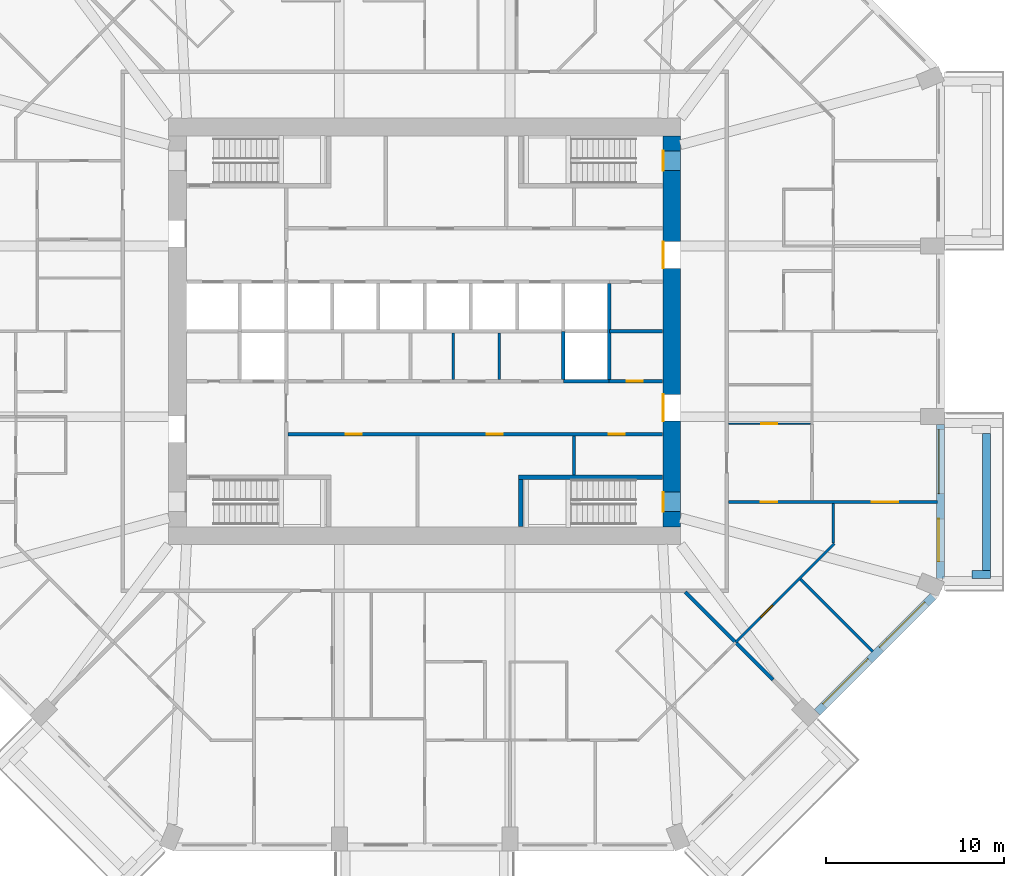
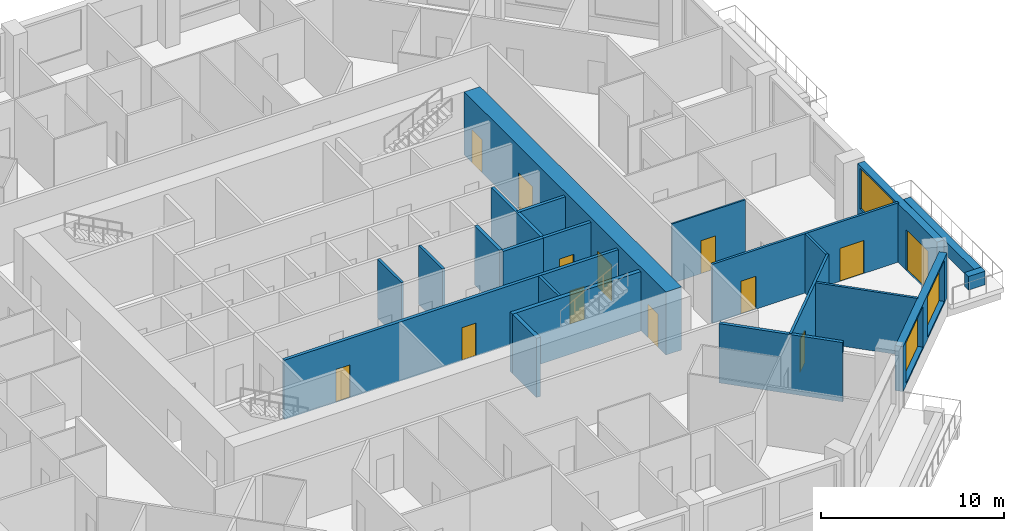
# One storey, part 6 of 13: 22 walls, 13 doors, 3 windows, 16 openings.
"""IFC4 building model written with IfcOpenShell, lengths in metres."""

from ifc_helpers import new_model, si_unit, direction, frame, frame_2d, origin, place, context, subcontext, project, spatial, rectangle, extrude, material, layer, layer_set, type_object, element, fill, save


model = new_model("IFC4")

# Units and contexts
model_context = context("Model", 3, precision=1e-05, world=origin(), true_north=direction((0.0, 1.0)))
body_context = subcontext(model_context, "Body", "Model", "MODEL_VIEW")
ifc_project = project(units=[si_unit("LENGTHUNIT", "METRE"), si_unit("AREAUNIT", "SQUARE_METRE"), si_unit("VOLUMEUNIT", "CUBIC_METRE"), si_unit("PLANEANGLEUNIT", "RADIAN"), si_unit("MASSUNIT", "GRAM", prefix="KILO")], contexts=[model_context])

# Site, building, storey
site_placement = place(None, origin())
site = spatial("IfcSite", under=ifc_project, at=site_placement, CompositionType="ELEMENT")
building_placement = place(site_placement, origin())
building = spatial("IfcBuilding", under=site, at=building_placement, Name="Msitu Wima Residences", CompositionType="ELEMENT")
storey_placement = place(building_placement, frame((0.0, 0.0, 33.89990234375)))
storey = spatial("IfcBuildingStorey", under=building, at=storey_placement, Name="L07", CompositionType="ELEMENT", Elevation=33.89990234375)

# Walls
ifc_material_1 = material(Name="Facing brick")
ifc_layer_1 = layer(ifc_material_1, 0.06494140625, Name="Facing brick")
ifc_material_2 = material(Name="Concrete C40/50", Category="concrete")
ifc_layer_2 = layer(ifc_material_2, 0.156005859375, Name="Concrete C40/50")
ifc_material_3 = material(Name="Waterproofing membrane")
ifc_layer_3 = layer(ifc_material_3, 0.00390625, Name="Waterproofing membrane")
ifc_material_4 = material(Name="Planting soil and planting")
ifc_layer_4 = layer(ifc_material_4, 0.22509765625, Name="Planting soil and planting")
ifc_layer_set_1 = layer_set([ifc_layer_1, ifc_layer_2, ifc_layer_3, ifc_layer_4], Name="Concrete C40/50")
wall_type_1 = type_object("IfcWallType", Name="Balcony planter PLANTER PL450", PredefinedType="USERDEFINED", material=ifc_layer_set_1)
wall_1_placement = place(storey_placement, frame((31.625, -13.449951171875, 0.0), z_axis=(0.0, 0.0, 1.0), x_axis=(0.0, 1.0, 0.0)))
element("IfcWall", 1, at=wall_1_placement, inside=storey, type_object=wall_type_1, Name="Balcony planter E0 L07", ObjectType="PLANTER", PredefinedType="USERDEFINED", context=body_context, shape_type="SweptSolid", body=[
    extrude(rectangle(XDim=7.699951171875, YDim=0.449951171875, at=frame_2d((3.85009765625, 0.0))), origin(), (0.0, 0.0, 1.0), 0.900146484375),
])
wall_2_placement = place(storey_placement, frame((30.800048828125, -13.675048828125, 0.0), z_axis=(0.0, 0.0, 1.0), x_axis=(1.0, 0.0, 0.0)))
element("IfcWall", 2, at=wall_2_placement, inside=storey, type_object=wall_type_1, Name="Balcony planter E0 L07", ObjectType="PLANTER", PredefinedType="USERDEFINED", context=body_context, shape_type="SweptSolid", body=[
    extrude(rectangle(XDim=1.050048828125, YDim=0.449951171875, at=frame_2d((0.52490234375, 0.0))), origin(), (0.0, 0.0, 1.0), 0.900146484375),
])

# Wall, openings, door, window
ifc_material_5 = material(Name="Brick (red buff mix)", Category="masonry")
ifc_layer_5 = layer(ifc_material_5, 0.449951171875)
ifc_layer_set_2 = layer_set([ifc_layer_5], Name="Brick (red buff mix)")
wall_type_2 = type_object("IfcWallType", Name="Brick infill wall BW450", PredefinedType="SOLIDWALL", material=ifc_layer_set_2)
wall_3_placement = place(storey_placement, frame((29.02490234375, -13.912841796875, 0.0), z_axis=(0.0, 0.0, 1.0), x_axis=(0.0, 1.0, 0.0)))
wall_3 = element("IfcWall", 3, at=wall_3_placement, inside=storey, type_object=wall_type_2, Name="Brick infill wall L07 E0", PredefinedType="SOLIDWALL", context=body_context, shape_type="SweptSolid", body=[
    extrude(rectangle(XDim=8.662841796875, YDim=0.449951171875, at=frame_2d((4.33154296875, 0.0))), origin(), (0.0, 0.0, 1.0), 3.900146484375),
])
opening_1_placement = place(wall_3_placement, frame((0.9658203125, 0.0, 0.0)))
opening_1 = element("IfcOpeningElement", 4, at=opening_1_placement, cuts=wall_3, Name="Opening D05-07.001", PredefinedType="OPENING", context=body_context, shape_type="SweptSolid", body=[
    extrude(rectangle(XDim=2.39990234375, YDim=2.699951171875, at=frame_2d((1.199951171875, 1.35009765625))), frame((0.0, 0.23486328125, 0.0), z_axis=(0.0, -1.0, 0.0), x_axis=(1.0, 0.0, 0.0)), (0.0, 0.0, 1.0), 0.469970703125),
])
opening_2_placement = place(wall_3_placement, frame((4.781494140625, 0.0, 1.050048828125)))
opening_2 = element("IfcOpeningElement", 5, at=opening_2_placement, cuts=wall_3, Name="Opening W05-07.001", PredefinedType="OPENING", context=body_context, shape_type="SweptSolid", body=[
    extrude(rectangle(XDim=3.60009765625, YDim=2.699951171875, at=frame_2d((1.800048828125, 1.35009765625))), frame((0.0, 0.23486328125, 0.0), z_axis=(0.0, -1.0, 0.0), x_axis=(1.0, 0.0, 0.0)), (0.0, 0.0, 1.0), 0.469970703125),
])
ifc_material_6 = material(Name="Anodised aluminium, bronze finish, clear low-emissivity double glazing", Category="aluminium")
door_type_1 = type_object("IfcDoorType", Name="Balcony door D2400x2700", OperationType="SLIDING_TO_LEFT", PredefinedType="DOOR", material=ifc_material_6)
door_1_placement = place(opening_1_placement, origin())
door_1 = element("IfcDoor", 6, at=door_1_placement, inside=storey, type_object=door_type_1, Name="Balcony door L07 E0", OperationType="SINGLE_SWING_LEFT", OverallHeight=2.699951171875, OverallWidth=2.39990234375, PredefinedType="DOOR", context=body_context, shape_type="SweptSolid", body=[
    extrude(rectangle(XDim=2.39990234375, YDim=2.699951171875, at=frame_2d((1.199951171875, 1.35009765625))), frame((0.0, 0.1298828125, 0.0), z_axis=(0.0, -1.0, 0.0), x_axis=(1.0, 0.0, 0.0)), (0.0, 0.0, 1.0), 0.050048828125),
])
fill(opening_1, door_1)
window_type = type_object("IfcWindowType", Name="Window W3600x2700", PartitioningType="DOUBLE_PANEL_VERTICAL", PredefinedType="WINDOW", material=ifc_material_6)
window_1_placement = place(opening_2_placement, origin())
window_1 = element("IfcWindow", 7, at=window_1_placement, inside=storey, type_object=window_type, Name="Window L07 E0.2", OverallHeight=2.699951171875, OverallWidth=3.60009765625, PartitioningType="SINGLE_PANEL", PredefinedType="WINDOW", context=body_context, shape_type="SweptSolid", body=[
    extrude(rectangle(XDim=3.60009765625, YDim=2.699951171875, at=frame_2d((1.800048828125, 1.35009765625))), frame((0.0, 0.135009765625, 0.0), z_axis=(0.0, -1.0, 0.0), x_axis=(1.0, 0.0, 0.0)), (0.0, 0.0, 1.0), 0.06005859375),
])
fill(opening_2, window_1)

# Wall, openings, windows
wall_4_placement = place(storey_placement, frame((22.077392578125, -21.44091796875, 0.900146484375), z_axis=(0.0, 0.0, 1.0), x_axis=(0.707106781187, 0.707106781187, 0.0)))
wall_4 = element("IfcWall", 8, at=wall_4_placement, inside=storey, type_object=wall_type_2, Name="Brick infill wall L07 SE1", PredefinedType="SOLIDWALL", context=body_context, shape_type="SweptSolid", body=[
    extrude(rectangle(XDim=9.2451171875, YDim=0.449951171875, at=frame_2d((4.62255859375, 0.0))), origin(), (0.0, 0.0, 1.0), 3.0),
])
opening_3_placement = place(wall_4_placement, frame((0.572509765625, 0.0, 0.14990234375)))
opening_3 = element("IfcOpeningElement", 9, at=opening_3_placement, cuts=wall_4, Name="Opening W05-07.022", PredefinedType="OPENING", context=body_context, shape_type="SweptSolid", body=[
    extrude(rectangle(XDim=3.60009765625, YDim=2.699951171875, at=frame_2d((1.800048828125, 1.35009765625))), frame((0.0, 0.23486328125, 0.0), z_axis=(0.0, -1.0, 0.0), x_axis=(1.0, 0.0, 0.0)), (0.0, 0.0, 1.0), 0.469970703125),
])
opening_4_placement = place(wall_4_placement, frame((5.072509765625, 0.0, 0.14990234375)))
opening_4 = element("IfcOpeningElement", 10, at=opening_4_placement, cuts=wall_4, Name="Opening W05-07.023", PredefinedType="OPENING", context=body_context, shape_type="SweptSolid", body=[
    extrude(rectangle(XDim=3.60009765625, YDim=2.699951171875, at=frame_2d((1.800048828125, 1.35009765625))), frame((0.0, 0.23486328125, 0.0), z_axis=(0.0, -1.0, 0.0), x_axis=(1.0, 0.0, 0.0)), (0.0, 0.0, 1.0), 0.469970703125),
])
window_2_placement = place(opening_3_placement, origin())
window_2 = element("IfcWindow", 11, at=window_2_placement, inside=storey, type_object=window_type, Name="Window L07 SE1.1", OverallHeight=2.699951171875, OverallWidth=3.60009765625, PartitioningType="SINGLE_PANEL", PredefinedType="WINDOW", context=body_context, shape_type="SweptSolid", body=[
    extrude(rectangle(XDim=3.60009765625, YDim=2.699951171875, at=frame_2d((1.800048828125, 1.35009765625))), frame((0.0, 0.135009765625, 0.0), z_axis=(0.0, -1.0, 0.0), x_axis=(1.0, 0.0, 0.0)), (0.0, 0.0, 1.0), 0.06005859375),
])
fill(opening_3, window_2)
window_3_placement = place(opening_4_placement, origin())
window_3 = element("IfcWindow", 12, at=window_3_placement, inside=storey, type_object=window_type, Name="Window L07 SE1.2", OverallHeight=2.699951171875, OverallWidth=3.60009765625, PartitioningType="SINGLE_PANEL", PredefinedType="WINDOW", context=body_context, shape_type="SweptSolid", body=[
    extrude(rectangle(XDim=3.60009765625, YDim=2.699951171875, at=frame_2d((1.800048828125, 1.35009765625))), frame((0.0, 0.135009765625, 0.0), z_axis=(0.0, -1.0, 0.0), x_axis=(1.0, 0.0, 0.0)), (0.0, 0.0, 1.0), 0.06005859375),
])
fill(opening_4, window_3)

# Wall, openings, doors
ifc_material_7 = material(Name="Concrete C80/95", Category="concrete")
ifc_layer_6 = layer(ifc_material_7, 1.0)
ifc_layer_set_3 = layer_set([ifc_layer_6], Name="Concrete C80/95")
wall_type_3 = type_object("IfcWallType", Name="Core wall CW1000 C80/95", PredefinedType="SHEAR", material=ifc_layer_set_3)
wall_5_placement = place(storey_placement, frame((13.89990234375, -11.0, 0.0), z_axis=(0.0, 0.0, 1.0), x_axis=(0.0, 1.0, 0.0)))
wall_5 = element("IfcWall", 13, at=wall_5_placement, inside=storey, type_object=wall_type_3, Name="Core wall", PredefinedType="SHEAR", context=body_context, shape_type="SweptSolid", body=[
    extrude(rectangle(XDim=22.0, YDim=1.0, at=frame_2d((11.0, 0.0))), origin(), (0.0, 0.0, 1.0), 4.2001953125),
])
opening_5_placement = place(wall_5_placement, frame((20.050048828125, 0.0, 0.0)))
opening_5 = element("IfcOpeningElement", 14, at=opening_5_placement, cuts=wall_5, Name="Opening D05-07.040", PredefinedType="OPENING", context=body_context, shape_type="SweptSolid", body=[
    extrude(rectangle(XDim=1.10009765625, YDim=2.199951171875, at=frame_2d((0.550048828125, 1.10009765625))), frame((0.0, 0.510009765625, 0.0), z_axis=(0.0, -1.0, 0.0), x_axis=(1.0, 0.0, 0.0)), (0.0, 0.0, 1.0), 1.02001953125),
])
opening_6_placement = place(wall_5_placement, frame((0.85009765625, 0.0, 0.0)))
opening_6 = element("IfcOpeningElement", 15, at=opening_6_placement, cuts=wall_5, Name="Opening D05-07.041", PredefinedType="OPENING", context=body_context, shape_type="SweptSolid", body=[
    extrude(rectangle(XDim=1.10009765625, YDim=2.199951171875, at=frame_2d((0.550048828125, 1.10009765625))), frame((0.0, 0.510009765625, 0.0), z_axis=(0.0, -1.0, 0.0), x_axis=(1.0, 0.0, 0.0)), (0.0, 0.0, 1.0), 1.02001953125),
])
opening_7_placement = place(wall_5_placement, frame((14.550048828125, 0.0, 0.0)))
opening_7 = element("IfcOpeningElement", 16, at=opening_7_placement, cuts=wall_5, Name="Opening D05-07.027", PredefinedType="OPENING", context=body_context, shape_type="SweptSolid", body=[
    extrude(rectangle(XDim=1.5, YDim=2.39990234375, at=frame_2d((0.75, 1.199951171875))), frame((0.0, 0.510009765625, 0.0), z_axis=(0.0, -1.0, 0.0), x_axis=(1.0, 0.0, 0.0)), (0.0, 0.0, 1.0), 1.02001953125),
])
opening_8_placement = place(wall_5_placement, frame((5.949951171875, 0.0, 0.0)))
opening_8 = element("IfcOpeningElement", 17, at=opening_8_placement, cuts=wall_5, Name="Opening D05-07.028", PredefinedType="OPENING", context=body_context, shape_type="SweptSolid", body=[
    extrude(rectangle(XDim=1.5, YDim=2.39990234375, at=frame_2d((0.75, 1.199951171875))), frame((0.0, 0.510009765625, 0.0), z_axis=(0.0, -1.0, 0.0), x_axis=(1.0, 0.0, 0.0)), (0.0, 0.0, 1.0), 1.02001953125),
])
ifc_material_8 = material(Name="Steel framed glazed door, fire resisting", Category="steel")
door_type_2 = type_object("IfcDoorType", Name="Lobby door D07 1500x2400", OperationType="DOUBLE_DOOR_SINGLE_SWING", PredefinedType="DOOR", material=ifc_material_8)
door_2_placement = place(opening_7_placement, origin())
door_2 = element("IfcDoor", 18, at=door_2_placement, inside=storey, type_object=door_type_2, Name="Lobby door", OperationType="DOUBLE_DOOR_SINGLE_SWING", OverallHeight=2.39990234375, OverallWidth=1.5, PredefinedType="DOOR", context=body_context, shape_type="SweptSolid", body=[
    extrude(rectangle(XDim=1.5, YDim=2.39990234375, at=frame_2d((0.75, 1.199951171875))), frame((0.0, 0.4951171875, 0.0), z_axis=(0.0, -1.0, 0.0), x_axis=(1.0, 0.0, 0.0)), (0.0, 0.0, 1.0), 0.050048828125),
])
fill(opening_7, door_2)
door_3_placement = place(opening_8_placement, origin())
door_3 = element("IfcDoor", 19, at=door_3_placement, inside=storey, type_object=door_type_2, Name="Lobby door", OperationType="DOUBLE_DOOR_SINGLE_SWING", OverallHeight=2.39990234375, OverallWidth=1.5, PredefinedType="DOOR", context=body_context, shape_type="SweptSolid", body=[
    extrude(rectangle(XDim=1.5, YDim=2.39990234375, at=frame_2d((0.75, 1.199951171875))), frame((0.0, 0.4951171875, 0.0), z_axis=(0.0, -1.0, 0.0), x_axis=(1.0, 0.0, 0.0)), (0.0, 0.0, 1.0), 0.050048828125),
])
fill(opening_8, door_3)
ifc_material_9 = material(Name="Steel door, fire resisting, panic bar", Category="steel")
door_type_3 = type_object("IfcDoorType", Name="Stair door D06 1100x2200", OperationType="SINGLE_SWING_LEFT", PredefinedType="DOOR", material=ifc_material_9)
door_4_placement = place(opening_5_placement, origin())
door_4 = element("IfcDoor", 20, at=door_4_placement, inside=storey, type_object=door_type_3, Name="Stair door", OperationType="SINGLE_SWING_LEFT", OverallHeight=2.199951171875, OverallWidth=1.10009765625, PredefinedType="DOOR", context=body_context, shape_type="SweptSolid", body=[
    extrude(rectangle(XDim=1.10009765625, YDim=2.199951171875, at=frame_2d((0.550048828125, 1.10009765625))), frame((0.0, 0.4951171875, 0.0), z_axis=(0.0, -1.0, 0.0), x_axis=(1.0, 0.0, 0.0)), (0.0, 0.0, 1.0), 0.050048828125),
])
fill(opening_5, door_4)
door_5_placement = place(opening_6_placement, origin())
door_5 = element("IfcDoor", 21, at=door_5_placement, inside=storey, type_object=door_type_3, Name="Stair door", OperationType="SINGLE_SWING_RIGHT", OverallHeight=2.199951171875, OverallWidth=1.10009765625, PredefinedType="DOOR", context=body_context, shape_type="SweptSolid", body=[
    extrude(rectangle(XDim=1.10009765625, YDim=2.199951171875, at=frame_2d((0.550048828125, 1.10009765625))), frame((0.0, 0.4951171875, 0.0), z_axis=(0.0, -1.0, 0.0), x_axis=(1.0, 0.0, 0.0)), (0.0, 0.0, 1.0), 0.050048828125),
])
fill(opening_6, door_5)

ifc_material_10 = material(Name="Plaster")
ifc_layer_7 = layer(ifc_material_10, 0.011962890625, Name="Plaster")
ifc_material_11 = material(Name="Concrete blockwork", Category="masonry")
ifc_layer_8 = layer(ifc_material_11, 0.176025390625, Name="Concrete blockwork")
ifc_layer_9 = layer(ifc_material_10, 0.011962890625, Name="Plaster")
ifc_layer_set_4 = layer_set([ifc_layer_7, ifc_layer_8, ifc_layer_9], Name="Concrete blockwork")
wall_type_4 = type_object("IfcWallType", Name="Corridor wall FW200", PredefinedType="PARTITIONING", material=ifc_layer_set_4)
wall_6_placement = place(storey_placement, frame((-7.699951171875, -5.800048828125, 0.0), z_axis=(0.0, 0.0, 1.0), x_axis=(1.0, 0.0, 0.0)))
wall_6 = element("IfcWall", 22, at=wall_6_placement, inside=storey, type_object=wall_type_4, Name="Corridor wall", PredefinedType="PARTITIONING", context=body_context, shape_type="SweptSolid", body=[
    extrude(rectangle(XDim=21.070068359375, YDim=0.199951171875, at=frame_2d((10.53515625, 0.0))), origin(), (0.0, 0.0, 1.0), 3.9501953125),
])
opening_9_placement = place(wall_6_placement, frame((3.25, 0.0, 0.0)))
opening_9 = element("IfcOpeningElement", 23, at=opening_9_placement, cuts=wall_6, Name="Opening D05-07.024", PredefinedType="OPENING", context=body_context, shape_type="SweptSolid", body=[
    extrude(rectangle(XDim=0.89990234375, YDim=2.199951171875, at=frame_2d((0.449951171875, 1.10009765625))), frame((0.0, 0.10986328125, 0.0), z_axis=(0.0, -1.0, 0.0), x_axis=(1.0, 0.0, 0.0)), (0.0, 0.0, 1.0), 0.219970703125),
])
opening_10_placement = place(wall_6_placement, frame((11.199951171875, 0.0, 0.0)))
opening_10 = element("IfcOpeningElement", 24, at=opening_10_placement, cuts=wall_6, Name="Opening D05-07.025", PredefinedType="OPENING", context=body_context, shape_type="SweptSolid", body=[
    extrude(rectangle(XDim=0.89990234375, YDim=2.199951171875, at=frame_2d((0.449951171875, 1.10009765625))), frame((0.0, 0.10986328125, 0.0), z_axis=(0.0, -1.0, 0.0), x_axis=(1.0, 0.0, 0.0)), (0.0, 0.0, 1.0), 0.219970703125),
])
opening_11_placement = place(wall_6_placement, frame((18.050048828125, 0.0, 0.0)))
opening_11 = element("IfcOpeningElement", 25, at=opening_11_placement, cuts=wall_6, Name="Opening D05-07.026", PredefinedType="OPENING", context=body_context, shape_type="SweptSolid", body=[
    extrude(rectangle(XDim=0.89990234375, YDim=2.199951171875, at=frame_2d((0.449951171875, 1.10009765625))), frame((0.0, 0.10986328125, 0.0), z_axis=(0.0, -1.0, 0.0), x_axis=(1.0, 0.0, 0.0)), (0.0, 0.0, 1.0), 0.219970703125),
])
ifc_material_12 = material(Name="Timber flush door", Category="wood")
door_type_4 = type_object("IfcDoorType", Name="Service door D05 900x2200", OperationType="SINGLE_SWING_LEFT", PredefinedType="DOOR", material=ifc_material_12)
door_6_placement = place(opening_9_placement, origin())
door_6 = element("IfcDoor", 26, at=door_6_placement, inside=storey, type_object=door_type_4, Name="Service door", OperationType="SINGLE_SWING_RIGHT", OverallHeight=2.199951171875, OverallWidth=0.89990234375, PredefinedType="DOOR", context=body_context, shape_type="SweptSolid", body=[
    extrude(rectangle(XDim=0.89990234375, YDim=2.199951171875, at=frame_2d((0.449951171875, 1.10009765625))), frame((0.0, 0.02490234375, 0.0), z_axis=(0.0, -1.0, 0.0), x_axis=(1.0, 0.0, 0.0)), (0.0, 0.0, 1.0), 0.050048828125),
])
fill(opening_9, door_6)
door_7_placement = place(opening_10_placement, origin())
door_7 = element("IfcDoor", 27, at=door_7_placement, inside=storey, type_object=door_type_4, Name="Service door", OperationType="SINGLE_SWING_LEFT", OverallHeight=2.199951171875, OverallWidth=0.89990234375, PredefinedType="DOOR", context=body_context, shape_type="SweptSolid", body=[
    extrude(rectangle(XDim=0.89990234375, YDim=2.199951171875, at=frame_2d((0.449951171875, 1.10009765625))), frame((0.0, 0.02490234375, 0.0), z_axis=(0.0, -1.0, 0.0), x_axis=(1.0, 0.0, 0.0)), (0.0, 0.0, 1.0), 0.050048828125),
])
fill(opening_10, door_7)
door_8_placement = place(opening_11_placement, origin())
door_8 = element("IfcDoor", 28, at=door_8_placement, inside=storey, type_object=door_type_4, Name="Service door", OperationType="SINGLE_SWING_RIGHT", OverallHeight=2.199951171875, OverallWidth=0.89990234375, PredefinedType="DOOR", context=body_context, shape_type="SweptSolid", body=[
    extrude(rectangle(XDim=0.89990234375, YDim=2.199951171875, at=frame_2d((0.449951171875, 1.10009765625))), frame((0.0, 0.02490234375, 0.0), z_axis=(0.0, -1.0, 0.0), x_axis=(1.0, 0.0, 0.0)), (0.0, 0.0, 1.0), 0.050048828125),
])
fill(opening_11, door_8)

# Walls
ifc_layer_10 = layer(ifc_material_10, 0.011962890625, Name="Plaster")
ifc_layer_11 = layer(ifc_material_11, 0.1259765625, Name="Concrete blockwork")
ifc_layer_12 = layer(ifc_material_10, 0.011962890625, Name="Plaster")
ifc_layer_set_5 = layer_set([ifc_layer_10, ifc_layer_11, ifc_layer_12], Name="Concrete blockwork")
wall_type_5 = type_object("IfcWallType", Name="Partition PW150", PredefinedType="PARTITIONING", material=ifc_layer_set_5)
for number, where, z_axis, x_axis, name in (
    (29, (1.60009765625, -2.699951171875, 0.0), (0.0, 0.0, 1.0), (0.0, 1.0, 0.0), "Partition"),
    (30, (4.199951171875, -2.699951171875, 0.0), (0.0, 0.0, 1.0), (0.0, 1.0, 0.0), "Partition"),
):
    element("IfcWall", number, at=place(storey_placement, frame(where, z_axis=z_axis, x_axis=x_axis)), inside=storey, type_object=wall_type_5, Name=name, PredefinedType="PARTITIONING", context=body_context, shape_type="SweptSolid", body=[
        extrude(rectangle(XDim=2.599853515625, YDim=0.14990234375, at=frame_2d((1.2998046875, 0.0))), origin(), (0.0, 0.0, 1.0), 3.9501953125),
    ])
wall_7_placement = place(storey_placement, frame((8.39990234375, -8.074951171875, 0.0), z_axis=(0.0, 0.0, 1.0), x_axis=(0.0, 1.0, 0.0)))
element("IfcWall", 31, at=wall_7_placement, inside=storey, type_object=wall_type_5, Name="Partition", PredefinedType="PARTITIONING", context=body_context, shape_type="SweptSolid", body=[
    extrude(rectangle(XDim=2.175048828125, YDim=0.14990234375, at=frame_2d((1.08740234375, 0.0))), origin(), (0.0, 0.0, 1.0), 3.9501953125),
])

# Wall, openings, doors
wall_8_placement = place(storey_placement, frame((17.10009765625, -9.60009765625, 0.0), z_axis=(0.0, 0.0, 1.0), x_axis=(1.0, 0.0, 0.0)))
wall_8 = element("IfcWall", 32, at=wall_8_placement, inside=storey, type_object=wall_type_5, Name="Partition", PredefinedType="PARTITIONING", context=body_context, shape_type="SweptSolid", body=[
    extrude(rectangle(XDim=11.7548828125, YDim=0.14990234375, at=frame_2d((5.87744140625, 0.0))), origin(), (0.0, 0.0, 1.0), 3.9501953125),
])
opening_12_placement = place(wall_8_placement, frame((1.800048828125, 0.0, 0.0)))
opening_12 = element("IfcOpeningElement", 33, at=opening_12_placement, cuts=wall_8, Name="Opening D05-07.042", PredefinedType="OPENING", context=body_context, shape_type="SweptSolid", body=[
    extrude(rectangle(XDim=0.949951171875, YDim=2.199951171875, at=frame_2d((0.47509765625, 1.10009765625))), frame((0.0, 0.0849609375, 0.0), z_axis=(0.0, -1.0, 0.0), x_axis=(1.0, 0.0, 0.0)), (0.0, 0.0, 1.0), 0.169921875),
])
opening_13_placement = place(wall_8_placement, frame((8.050048828125, 0.0, 0.0)))
opening_13 = element("IfcOpeningElement", 34, at=opening_13_placement, cuts=wall_8, Name="Opening D05-07.095", PredefinedType="OPENING", context=body_context, shape_type="SweptSolid", body=[
    extrude(rectangle(XDim=1.5, YDim=2.199951171875, at=frame_2d((0.75, 1.10009765625))), frame((0.0, 0.0849609375, 0.0), z_axis=(0.0, -1.0, 0.0), x_axis=(1.0, 0.0, 0.0)), (0.0, 0.0, 1.0), 0.169921875),
])
ifc_material_13 = material(Name="Timber double door", Category="wood")
door_type_5 = type_object("IfcDoorType", Name="Double door D04 1500x2200", OperationType="DOUBLE_DOOR_SINGLE_SWING", PredefinedType="DOOR", material=ifc_material_13)
door_9_placement = place(opening_13_placement, origin())
door_9 = element("IfcDoor", 35, at=door_9_placement, inside=storey, type_object=door_type_5, Name="Double door", OperationType="DOUBLE_DOOR_SINGLE_SWING", OverallHeight=2.199951171875, OverallWidth=1.5, PredefinedType="DOOR", context=body_context, shape_type="SweptSolid", body=[
    extrude(rectangle(XDim=1.5, YDim=2.199951171875, at=frame_2d((0.75, 1.10009765625))), frame((0.0, 0.02490234375, 0.0), z_axis=(0.0, -1.0, 0.0), x_axis=(1.0, 0.0, 0.0)), (0.0, 0.0, 1.0), 0.050048828125),
])
fill(opening_13, door_9)
door_type_6 = type_object("IfcDoorType", Name="Room door D12 950x2200", OperationType="SINGLE_SWING_LEFT", PredefinedType="DOOR", material=ifc_material_12)
door_10_placement = place(opening_12_placement, origin())
door_10 = element("IfcDoor", 36, at=door_10_placement, inside=storey, type_object=door_type_6, Name="Room door", OperationType="SINGLE_SWING_RIGHT", OverallHeight=2.199951171875, OverallWidth=0.949951171875, PredefinedType="DOOR", context=body_context, shape_type="SweptSolid", body=[
    extrude(rectangle(XDim=0.949951171875, YDim=2.199951171875, at=frame_2d((0.47509765625, 1.10009765625))), frame((0.0, 0.02490234375, 0.0), z_axis=(0.0, -1.0, 0.0), x_axis=(1.0, 0.0, 0.0)), (0.0, 0.0, 1.0), 0.050048828125),
])
fill(opening_12, door_10)

# Wall, opening, door
wall_9_placement = place(storey_placement, frame((17.498779296875, -17.498779296875, 0.0), z_axis=(0.0, 0.0, 1.0), x_axis=(0.707106781187, 0.707106781187, 0.0)))
wall_9 = element("IfcWall", 37, at=wall_9_placement, inside=storey, type_object=wall_type_5, Name="Partition", PredefinedType="PARTITIONING", context=body_context, shape_type="SweptSolid", body=[
    extrude(rectangle(XDim=7.854736328125, YDim=0.14990234375, at=frame_2d((3.92724609375, 0.0))), origin(), (0.0, 0.0, 1.0), 3.9501953125),
])
opening_14_placement = place(wall_9_placement, frame((2.0, 0.0, 0.0)))
opening_14 = element("IfcOpeningElement", 38, at=opening_14_placement, cuts=wall_9, Name="Opening D05-07.086", PredefinedType="OPENING", context=body_context, shape_type="SweptSolid", body=[
    extrude(rectangle(XDim=0.949951171875, YDim=2.199951171875, at=frame_2d((0.47509765625, 1.10009765625))), frame((0.0, 0.0849609375, 0.0), z_axis=(0.0, -1.0, 0.0), x_axis=(1.0, 0.0, 0.0)), (0.0, 0.0, 1.0), 0.169921875),
])
door_11_placement = place(opening_14_placement, origin())
door_11 = element("IfcDoor", 39, at=door_11_placement, inside=storey, type_object=door_type_6, Name="Room door", OperationType="SINGLE_SWING_RIGHT", OverallHeight=2.199951171875, OverallWidth=0.949951171875, PredefinedType="DOOR", context=body_context, shape_type="SweptSolid", body=[
    extrude(rectangle(XDim=0.949951171875, YDim=2.199951171875, at=frame_2d((0.47509765625, 1.10009765625))), frame((0.0, 0.02490234375, 0.0), z_axis=(0.0, -1.0, 0.0), x_axis=(1.0, 0.0, 0.0)), (0.0, 0.0, 1.0), 0.050048828125),
])
fill(opening_14, door_11)

# Walls
wall_10_placement = place(storey_placement, frame((21.15185546875, -13.951904296875, 0.0), z_axis=(0.0, 0.0, 1.0), x_axis=(0.707128010843, -0.707085550893, 0.0)))
element("IfcWall", 40, at=wall_10_placement, inside=storey, type_object=wall_type_5, Name="Partition", PredefinedType="PARTITIONING", context=body_context, shape_type="SweptSolid", body=[
    extrude(rectangle(XDim=5.75, YDim=0.14990234375, at=frame_2d((2.875, 0.0))), origin(), (0.0, 0.0, 1.0), 3.9501953125),
])
wall_11_placement = place(storey_placement, frame((23.0, -11.922607421875, 0.0), z_axis=(0.0, 0.0, 1.0), x_axis=(0.0, 1.0, 0.0)))
element("IfcWall", 41, at=wall_11_placement, inside=storey, type_object=wall_type_5, Name="Partition", PredefinedType="PARTITIONING", context=body_context, shape_type="SweptSolid", body=[
    extrude(rectangle(XDim=2.24755859375, YDim=0.14990234375, at=frame_2d((1.123779296875, 0.0))), origin(), (0.0, 0.0, 1.0), 3.9501953125),
])
ifc_layer_13 = layer(ifc_material_10, 0.011962890625, Name="Plaster")
ifc_material_14 = material(Name="Dense concrete blockwork", Category="masonry")
ifc_layer_14 = layer(ifc_material_14, 0.176025390625, Name="Dense concrete blockwork")
ifc_layer_15 = layer(ifc_material_10, 0.011962890625, Name="Plaster")
ifc_layer_set_6 = layer_set([ifc_layer_13, ifc_layer_14, ifc_layer_15], Name="Dense concrete blockwork")
wall_type_6 = type_object("IfcWallType", Name="Party wall PW200", PredefinedType="PARTITIONING", material=ifc_layer_set_6)
wall_12_placement = place(storey_placement, frame((14.670654296875, -14.670654296875, 0.0), z_axis=(0.0, 0.0, 1.0), x_axis=(0.707106781187, -0.707106781187, 0.0)))
element("IfcWall", 42, at=wall_12_placement, inside=storey, type_object=wall_type_6, Name="Party wall", PredefinedType="PARTITIONING", context=body_context, shape_type="SweptSolid", body=[
    extrude(rectangle(XDim=6.979248046875, YDim=0.199951171875, at=frame_2d((3.48974609375, 0.0))), origin(), (0.0, 0.0, 1.0), 3.9501953125),
])

# Wall, opening, door
ifc_layer_16 = layer(ifc_material_10, 0.011962890625, Name="Plaster")
ifc_material_15 = material(Name="Reinforced concrete blockwork", Category="masonry")
ifc_layer_17 = layer(ifc_material_15, 0.176025390625, Name="Reinforced concrete blockwork")
ifc_layer_18 = layer(ifc_material_10, 0.011962890625, Name="Plaster")
ifc_layer_set_7 = layer_set([ifc_layer_16, ifc_layer_17, ifc_layer_18], Name="Reinforced concrete blockwork")
wall_type_7 = type_object("IfcWallType", Name="Plant and riser wall PL200", PredefinedType="PARTITIONING", material=ifc_layer_set_7)
wall_13_placement = place(storey_placement, frame((10.3798828125, -2.800048828125, 0.0), z_axis=(0.0, 0.0, 1.0), x_axis=(1.0, 0.0, 0.0)))
wall_13 = element("IfcWall", 43, at=wall_13_placement, inside=storey, type_object=wall_type_7, Name="Plant and riser wall", PredefinedType="PARTITIONING", context=body_context, shape_type="SweptSolid", body=[
    extrude(rectangle(XDim=2.990234375, YDim=0.199951171875, at=frame_2d((1.4951171875, 0.0))), origin(), (0.0, 0.0, 1.0), 3.9501953125),
])
opening_15_placement = place(wall_13_placement, frame((1.0, 0.0, 0.0)))
opening_15 = element("IfcOpeningElement", 44, at=opening_15_placement, cuts=wall_13, Name="Opening D05-07.015", PredefinedType="OPENING", context=body_context, shape_type="SweptSolid", body=[
    extrude(rectangle(XDim=0.89990234375, YDim=2.199951171875, at=frame_2d((0.449951171875, 1.10009765625))), frame((0.0, 0.10986328125, 0.0), z_axis=(0.0, -1.0, 0.0), x_axis=(1.0, 0.0, 0.0)), (0.0, 0.0, 1.0), 0.219970703125),
])
door_12_placement = place(opening_15_placement, origin())
door_12 = element("IfcDoor", 45, at=door_12_placement, inside=storey, type_object=door_type_4, Name="Service door", OperationType="SINGLE_SWING_LEFT", OverallHeight=2.199951171875, OverallWidth=0.89990234375, PredefinedType="DOOR", context=body_context, shape_type="SweptSolid", body=[
    extrude(rectangle(XDim=0.89990234375, YDim=2.199951171875, at=frame_2d((0.449951171875, 1.10009765625))), frame((0.0, 0.02490234375, 0.0), z_axis=(0.0, -1.0, 0.0), x_axis=(1.0, 0.0, 0.0)), (0.0, 0.0, 1.0), 0.050048828125),
])
fill(opening_15, door_12)

# Walls
wall_14_placement = place(storey_placement, frame((10.39990234375, 0.0, 0.0), z_axis=(0.0, 0.0, 1.0), x_axis=(1.0, 0.0, 0.0)))
element("IfcWall", 46, at=wall_14_placement, inside=storey, type_object=wall_type_7, Name="Plant and riser wall", PredefinedType="PARTITIONING", context=body_context, shape_type="SweptSolid", body=[
    extrude(rectangle(XDim=2.97021484375, YDim=0.199951171875, at=frame_2d((1.485107421875, 0.0))), origin(), (0.0, 0.0, 1.0), 3.9501953125),
])
ifc_material_16 = material(Name="Fire-rated board")
ifc_layer_19 = layer(ifc_material_16, 0.02490234375, Name="Fire-rated board")
ifc_material_17 = material(Name="Light-gauge stud framing with mineral wool")
ifc_layer_20 = layer(ifc_material_17, 0.14990234375, Name="Light-gauge stud framing with mineral wool")
ifc_layer_21 = layer(ifc_material_16, 0.02490234375, Name="Fire-rated board")
ifc_layer_set_8 = layer_set([ifc_layer_19, ifc_layer_20, ifc_layer_21], Name="Light-gauge stud framing with mineral wool")
wall_type_8 = type_object("IfcWallType", Name="Shaft wall SH200", PredefinedType="PARTITIONING", material=ifc_layer_set_8)
wall_15_placement = place(storey_placement, frame((7.800048828125, -2.699951171875, 0.0), z_axis=(0.0, 0.0, 1.0), x_axis=(0.0, 1.0, 0.0)))
element("IfcWall", 47, at=wall_15_placement, inside=storey, type_object=wall_type_8, Name="Shaft wall", PredefinedType="PARTITIONING", context=body_context, shape_type="SweptSolid", body=[
    extrude(rectangle(XDim=2.699951171875, YDim=0.199951171875, at=frame_2d((1.35009765625, 0.0))), origin(), (0.0, 0.0, 1.0), 3.9501953125),
])
wall_16_placement = place(storey_placement, frame((7.820068359375, -2.800048828125, 0.0), z_axis=(0.0, 0.0, 1.0), x_axis=(1.0, 0.0, 0.0)))
element("IfcWall", 48, at=wall_16_placement, inside=storey, type_object=wall_type_8, Name="Shaft wall", PredefinedType="PARTITIONING", context=body_context, shape_type="SweptSolid", body=[
    extrude(rectangle(XDim=2.559814453125, YDim=0.199951171875, at=frame_2d((1.27978515625, 0.0))), origin(), (0.0, 0.0, 1.0), 3.9501953125),
])
wall_17_placement = place(storey_placement, frame((10.39990234375, -2.699951171875, 0.0), z_axis=(0.0, 0.0, 1.0), x_axis=(0.0, 1.0, 0.0)))
element("IfcWall", 49, at=wall_17_placement, inside=storey, type_object=wall_type_8, Name="Shaft wall", PredefinedType="PARTITIONING", context=body_context, shape_type="SweptSolid", body=[
    extrude(rectangle(XDim=5.39990234375, YDim=0.199951171875, at=frame_2d((2.699951171875, 0.0))), origin(), (0.0, 0.0, 1.0), 3.9501953125),
])
ifc_material_18 = material(Name="Concrete C50/60", Category="concrete")
ifc_layer_22 = layer(ifc_material_18, 0.25)
ifc_layer_set_9 = layer_set([ifc_layer_22], Name="Concrete C50/60")
wall_type_9 = type_object("IfcWallType", Name="Stair enclosure wall SW250", PredefinedType="SHEAR", material=ifc_layer_set_9)
wall_18_placement = place(storey_placement, frame((5.39990234375, -10.969970703125, 0.0), z_axis=(0.0, 0.0, 1.0), x_axis=(0.0, 1.0, 0.0)))
element("IfcWall", 50, at=wall_18_placement, inside=storey, type_object=wall_type_9, Name="Stair enclosure wall", PredefinedType="SHEAR", context=body_context, shape_type="SweptSolid", body=[
    extrude(rectangle(XDim=2.64501953125, YDim=0.25, at=frame_2d((1.322509765625, 0.0))), origin(), (0.0, 0.0, 1.0), 3.9501953125),
])
wall_19_placement = place(storey_placement, frame((5.27490234375, -8.199951171875, 0.0), z_axis=(0.0, 0.0, 1.0), x_axis=(1.0, 0.0, 0.0)))
element("IfcWall", 51, at=wall_19_placement, inside=storey, type_object=wall_type_9, Name="Stair enclosure wall", PredefinedType="SHEAR", context=body_context, shape_type="SweptSolid", body=[
    extrude(rectangle(XDim=8.09521484375, YDim=0.25, at=frame_2d((4.047607421875, 0.0))), origin(), (0.0, 0.0, 1.0), 3.9501953125),
])

# Wall, opening, door
ifc_material_19 = material(Name="Ceramic tiles")
ifc_layer_23 = layer(ifc_material_19, 0.008056640625, Name="Ceramic tiles")
ifc_material_20 = material(Name="Moisture-resistant board")
ifc_layer_24 = layer(ifc_material_20, 0.012451171875, Name="Moisture-resistant board")
ifc_layer_25 = layer(ifc_material_17, 0.06689453125, Name="Light-gauge stud framing with mineral wool")
ifc_layer_26 = layer(ifc_material_20, 0.012451171875, Name="Moisture-resistant board")
ifc_layer_set_10 = layer_set([ifc_layer_23, ifc_layer_24, ifc_layer_25, ifc_layer_26], Name="Light-gauge stud framing with mineral wool")
wall_type_10 = type_object("IfcWallType", Name="Wet wall PW100", PredefinedType="PARTITIONING", material=ifc_layer_set_10)
wall_20_placement = place(storey_placement, frame((17.10009765625, -5.199951171875, 0.0), z_axis=(0.0, 0.0, 1.0), x_axis=(1.0, 0.0, 0.0)))
wall_20 = element("IfcWall", 52, at=wall_20_placement, inside=storey, type_object=wall_type_10, Name="Wet wall", PredefinedType="PARTITIONING", context=body_context, shape_type="SweptSolid", body=[
    extrude(rectangle(XDim=4.625, YDim=0.10009765625, at=frame_2d((2.3125, 0.0))), origin(), (0.0, 0.0, 1.0), 3.9501953125),
])
opening_16_placement = place(wall_20_placement, frame((1.85009765625, 0.0, 0.0)))
opening_16 = element("IfcOpeningElement", 53, at=opening_16_placement, cuts=wall_20, Name="Opening D05-07.064", PredefinedType="OPENING", context=body_context, shape_type="SweptSolid", body=[
    extrude(rectangle(XDim=0.89990234375, YDim=2.199951171875, at=frame_2d((0.449951171875, 1.10009765625))), frame((0.0, 0.06005859375, 0.0), z_axis=(0.0, -1.0, 0.0), x_axis=(1.0, 0.0, 0.0)), (0.0, 0.0, 1.0), 0.1201171875),
])
ifc_material_21 = material(Name="Timber flush door, moisture resistant", Category="wood")
door_type_7 = type_object("IfcDoorType", Name="Bathroom door D03 900x2200", OperationType="SINGLE_SWING_LEFT", PredefinedType="DOOR", material=ifc_material_21)
door_13_placement = place(opening_16_placement, origin())
door_13 = element("IfcDoor", 54, at=door_13_placement, inside=storey, type_object=door_type_7, Name="Bathroom door", OperationType="SINGLE_SWING_LEFT", OverallHeight=2.199951171875, OverallWidth=0.89990234375, PredefinedType="DOOR", context=body_context, shape_type="SweptSolid", body=[
    extrude(rectangle(XDim=0.89990234375, YDim=2.199951171875, at=frame_2d((0.449951171875, 1.10009765625))), frame((0.0, 0.02490234375, 0.0), z_axis=(0.0, -1.0, 0.0), x_axis=(1.0, 0.0, 0.0)), (0.0, 0.0, 1.0), 0.050048828125),
])
fill(opening_16, door_13)

save(model, "model.ifc")
